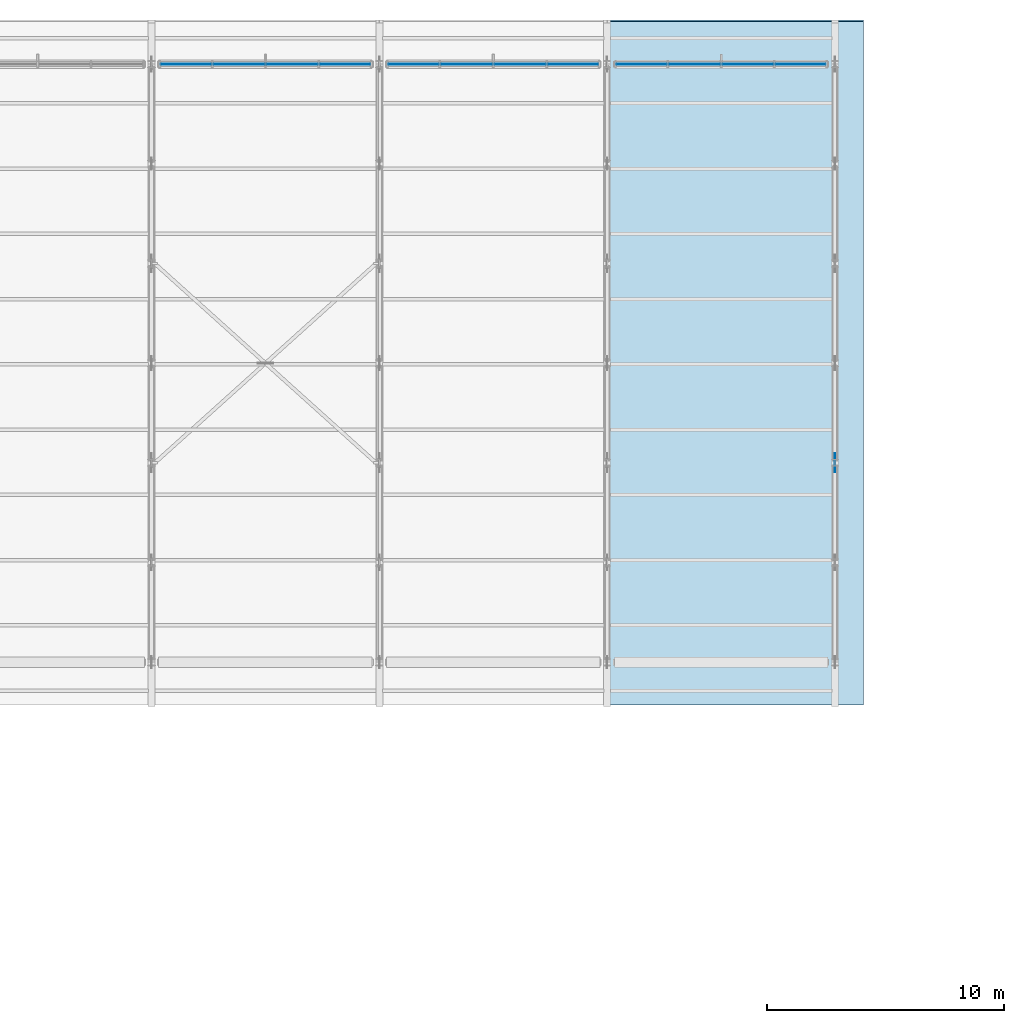
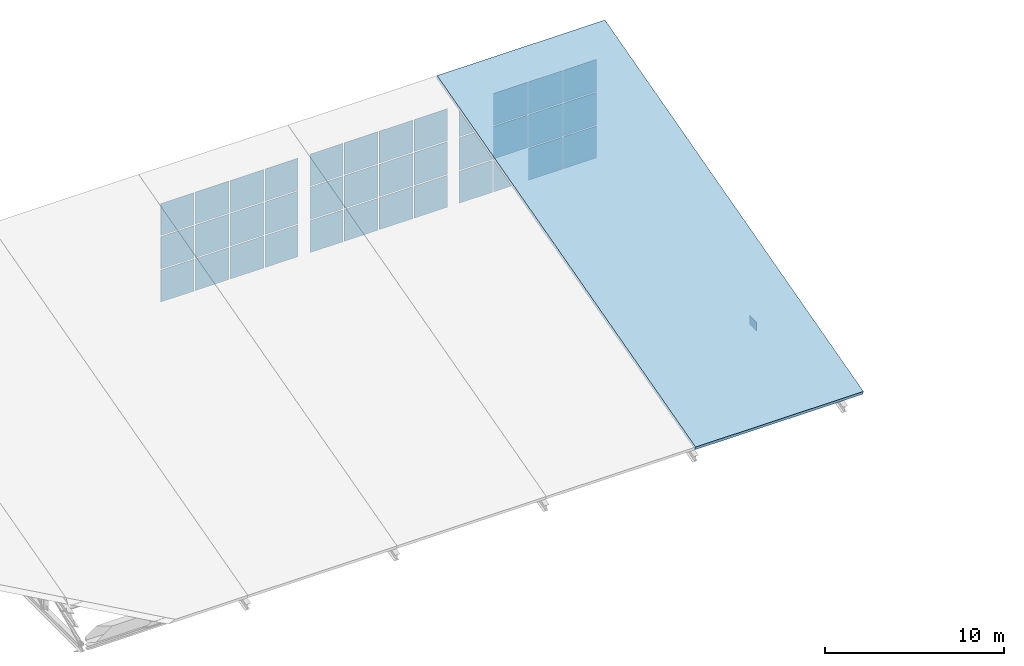
# One storey, part 21 of 37: 37 plates, 1 slab, 3 elements without a shape of their own.
"""IFC4 building model written with IfcOpenShell, lengths in metres."""

from ifc_helpers import new_model, si_unit, direction, frame, origin, origin_2d, place, context, subcontext, project, spatial, polyline, rectangle, outline, extrude, material, layer, layer_set, type_object, element, aggregate, save


model = new_model("IFC4")

# Units and contexts
model_context = context("Model", 3, precision=1e-05, world=origin(), true_north=direction((0.0, 1.0)))
body_context = subcontext(model_context, "Body", "Model", "MODEL_VIEW")
ifc_project = project(units=[si_unit("LENGTHUNIT", "METRE"), si_unit("AREAUNIT", "SQUARE_METRE"), si_unit("VOLUMEUNIT", "CUBIC_METRE"), si_unit("PLANEANGLEUNIT", "RADIAN"), si_unit("MASSUNIT", "GRAM", prefix="KILO")], contexts=[model_context])

# Site, building, storey
site_placement = place(None, origin())
site = spatial("IfcSite", under=ifc_project, at=site_placement, CompositionType="ELEMENT")
building_placement = place(site_placement, origin())
building = spatial("IfcBuilding", under=site, at=building_placement, Name="Shalvenor Court Art Gallery", CompositionType="ELEMENT")
storey_placement = place(building_placement, frame((0.0, 0.0, 22.199951171875)))
storey = spatial("IfcBuildingStorey", under=building, at=storey_placement, Name="L04", CompositionType="ELEMENT", Elevation=22.199951171875)

# Curtain wall, plates
ifc_material_1 = material(Name="Anodised aluminium and low-iron glass curtain wall", Category="aluminium")
curtain_wall_type = type_object("IfcCurtainWallType", Name="CW-NL-V2", PredefinedType="USERDEFINED", material=ifc_material_1)
curtain_wall_1_placement = place(storey_placement, origin())
curtain_wall_1 = element("IfcCurtainWall", 1, at=curtain_wall_1_placement, inside=storey, type_object=curtain_wall_type, Name="L04 V2 North Light Clerestory 5", ObjectType="CURTAIN WALL", PredefinedType="USERDEFINED")
ifc_material_2 = material(Name="Diffused north-light acid-etched museum glazing IGU", Category="glass")
ifc_layer_1 = layer(ifc_material_2, 0.02392578125, Name="Diffused north-light acid-etched museum glazing IGU")
ifc_layer_set_1 = layer_set([ifc_layer_1], Name="Diffused north-light acid-etched museum glazing IGU")
plate_type_1 = type_object("IfcPlateType", Name="CWP-04", PredefinedType="CURTAIN_PANEL", material=ifc_layer_set_1)
plate_1_placement = place(storey_placement, frame((97.445068359375, 122.39990234375, 0.074951171875), z_axis=(0.0, 0.0, 1.0), x_axis=(1.0, 0.0, 0.0)))
plate_1 = element("IfcPlate", 2, at=plate_1_placement, type_object=plate_type_1, Name="CW-NL-V2 panel 1.1", PredefinedType="CURTAIN_PANEL", context=body_context, shape_type="SweptSolid", body=[
    extrude(rectangle(XDim=2.1298828125, YDim=0.02392578125, at=origin_2d()), origin(), (0.0, 0.0, 1.0), 2.1708984375),
])
plate_2_placement = place(storey_placement, frame((97.445068359375, 122.39990234375, 2.32080078125), z_axis=(0.0, 0.0, 1.0), x_axis=(1.0, 0.0, 0.0)))
plate_2 = element("IfcPlate", 3, at=plate_2_placement, type_object=plate_type_1, Name="CW-NL-V2 panel 1.2", PredefinedType="CURTAIN_PANEL", context=body_context, shape_type="SweptSolid", body=[
    extrude(rectangle(XDim=2.1298828125, YDim=0.02392578125, at=origin_2d()), origin(), (0.0, 0.0, 1.0), 2.208251953125),
])
plate_3_placement = place(storey_placement, frame((97.445068359375, 122.39990234375, 4.604248046875), z_axis=(0.0, 0.0, 1.0), x_axis=(1.0, 0.0, 0.0)))
plate_3 = element("IfcPlate", 4, at=plate_3_placement, type_object=plate_type_1, Name="CW-NL-V2 panel 1.3", PredefinedType="CURTAIN_PANEL", context=body_context, shape_type="SweptSolid", body=[
    extrude(rectangle(XDim=2.1298828125, YDim=0.02392578125, at=origin_2d()), origin(), (0.0, 0.0, 1.0), 2.1708984375),
])
plate_4_placement = place(storey_placement, frame((99.675048828125, 122.39990234375, 0.074951171875), z_axis=(0.0, 0.0, 1.0), x_axis=(1.0, 0.0, 0.0)))
plate_4 = element("IfcPlate", 5, at=plate_4_placement, type_object=plate_type_1, Name="CW-NL-V2 panel 2.1", PredefinedType="CURTAIN_PANEL", context=body_context, shape_type="SweptSolid", body=[
    extrude(rectangle(XDim=2.169921875, YDim=0.02392578125, at=origin_2d()), origin(), (0.0, 0.0, 1.0), 2.1708984375),
])
plate_5_placement = place(storey_placement, frame((99.675048828125, 122.39990234375, 2.32080078125), z_axis=(0.0, 0.0, 1.0), x_axis=(1.0, 0.0, 0.0)))
plate_5 = element("IfcPlate", 6, at=plate_5_placement, type_object=plate_type_1, Name="CW-NL-V2 panel 2.2", PredefinedType="CURTAIN_PANEL", context=body_context, shape_type="SweptSolid", body=[
    extrude(rectangle(XDim=2.169921875, YDim=0.02392578125, at=origin_2d()), origin(), (0.0, 0.0, 1.0), 2.208251953125),
])
plate_6_placement = place(storey_placement, frame((99.675048828125, 122.39990234375, 4.604248046875), z_axis=(0.0, 0.0, 1.0), x_axis=(1.0, 0.0, 0.0)))
plate_6 = element("IfcPlate", 7, at=plate_6_placement, type_object=plate_type_1, Name="CW-NL-V2 panel 2.3", PredefinedType="CURTAIN_PANEL", context=body_context, shape_type="SweptSolid", body=[
    extrude(rectangle(XDim=2.169921875, YDim=0.02392578125, at=origin_2d()), origin(), (0.0, 0.0, 1.0), 2.1708984375),
])
plate_7_placement = place(storey_placement, frame((101.925048828125, 122.39990234375, 0.074951171875), z_axis=(0.0, 0.0, 1.0), x_axis=(1.0, 0.0, 0.0)))
plate_7 = element("IfcPlate", 8, at=plate_7_placement, type_object=plate_type_1, Name="CW-NL-V2 panel 3.1", PredefinedType="CURTAIN_PANEL", context=body_context, shape_type="SweptSolid", body=[
    extrude(rectangle(XDim=2.169921875, YDim=0.02392578125, at=origin_2d()), origin(), (0.0, 0.0, 1.0), 2.1708984375),
])
plate_8_placement = place(storey_placement, frame((101.925048828125, 122.39990234375, 2.32080078125), z_axis=(0.0, 0.0, 1.0), x_axis=(1.0, 0.0, 0.0)))
plate_8 = element("IfcPlate", 9, at=plate_8_placement, type_object=plate_type_1, Name="CW-NL-V2 panel 3.2", PredefinedType="CURTAIN_PANEL", context=body_context, shape_type="SweptSolid", body=[
    extrude(rectangle(XDim=2.169921875, YDim=0.02392578125, at=origin_2d()), origin(), (0.0, 0.0, 1.0), 2.208251953125),
])
plate_9_placement = place(storey_placement, frame((101.925048828125, 122.39990234375, 4.604248046875), z_axis=(0.0, 0.0, 1.0), x_axis=(1.0, 0.0, 0.0)))
plate_9 = element("IfcPlate", 10, at=plate_9_placement, type_object=plate_type_1, Name="CW-NL-V2 panel 3.3", PredefinedType="CURTAIN_PANEL", context=body_context, shape_type="SweptSolid", body=[
    extrude(rectangle(XDim=2.169921875, YDim=0.02392578125, at=origin_2d()), origin(), (0.0, 0.0, 1.0), 2.1708984375),
])
plate_10_placement = place(storey_placement, frame((104.155029296875, 122.39990234375, 0.074951171875), z_axis=(0.0, 0.0, 1.0), x_axis=(1.0, 0.0, 0.0)))
plate_10 = element("IfcPlate", 11, at=plate_10_placement, type_object=plate_type_1, Name="CW-NL-V2 panel 4.1", PredefinedType="CURTAIN_PANEL", context=body_context, shape_type="SweptSolid", body=[
    extrude(rectangle(XDim=2.1298828125, YDim=0.02392578125, at=origin_2d()), origin(), (0.0, 0.0, 1.0), 2.1708984375),
])
plate_11_placement = place(storey_placement, frame((104.155029296875, 122.39990234375, 2.32080078125), z_axis=(0.0, 0.0, 1.0), x_axis=(1.0, 0.0, 0.0)))
plate_11 = element("IfcPlate", 12, at=plate_11_placement, type_object=plate_type_1, Name="CW-NL-V2 panel 4.2", PredefinedType="CURTAIN_PANEL", context=body_context, shape_type="SweptSolid", body=[
    extrude(rectangle(XDim=2.1298828125, YDim=0.02392578125, at=origin_2d()), origin(), (0.0, 0.0, 1.0), 2.208251953125),
])
plate_12_placement = place(storey_placement, frame((104.155029296875, 122.39990234375, 4.604248046875), z_axis=(0.0, 0.0, 1.0), x_axis=(1.0, 0.0, 0.0)))
plate_12 = element("IfcPlate", 13, at=plate_12_placement, type_object=plate_type_1, Name="CW-NL-V2 panel 4.3", PredefinedType="CURTAIN_PANEL", context=body_context, shape_type="SweptSolid", body=[
    extrude(rectangle(XDim=2.1298828125, YDim=0.02392578125, at=origin_2d()), origin(), (0.0, 0.0, 1.0), 2.1708984375),
])
aggregate(curtain_wall_1, [plate_1, plate_2, plate_3, plate_4, plate_5, plate_6, plate_7, plate_8, plate_9, plate_10, plate_11, plate_12])

curtain_wall_2_placement = place(storey_placement, origin())
curtain_wall_2 = element("IfcCurtainWall", 14, at=curtain_wall_2_placement, inside=storey, type_object=curtain_wall_type, Name="L04 V2 North Light Clerestory 6", ObjectType="CURTAIN WALL", PredefinedType="USERDEFINED")
plate_13_placement = place(storey_placement, frame((107.044921875, 122.39990234375, 0.074951171875), z_axis=(0.0, 0.0, 1.0), x_axis=(1.0, 0.0, 0.0)))
plate_13 = element("IfcPlate", 15, at=plate_13_placement, type_object=plate_type_1, Name="CW-NL-V2 panel 1.1", PredefinedType="CURTAIN_PANEL", context=body_context, shape_type="SweptSolid", body=[
    extrude(rectangle(XDim=2.1298828125, YDim=0.02392578125, at=origin_2d()), origin(), (0.0, 0.0, 1.0), 2.1708984375),
])
plate_14_placement = place(storey_placement, frame((107.044921875, 122.39990234375, 2.32080078125), z_axis=(0.0, 0.0, 1.0), x_axis=(1.0, 0.0, 0.0)))
plate_14 = element("IfcPlate", 16, at=plate_14_placement, type_object=plate_type_1, Name="CW-NL-V2 panel 1.2", PredefinedType="CURTAIN_PANEL", context=body_context, shape_type="SweptSolid", body=[
    extrude(rectangle(XDim=2.1298828125, YDim=0.02392578125, at=origin_2d()), origin(), (0.0, 0.0, 1.0), 2.208251953125),
])
plate_15_placement = place(storey_placement, frame((107.044921875, 122.39990234375, 4.604248046875), z_axis=(0.0, 0.0, 1.0), x_axis=(1.0, 0.0, 0.0)))
plate_15 = element("IfcPlate", 17, at=plate_15_placement, type_object=plate_type_1, Name="CW-NL-V2 panel 1.3", PredefinedType="CURTAIN_PANEL", context=body_context, shape_type="SweptSolid", body=[
    extrude(rectangle(XDim=2.1298828125, YDim=0.02392578125, at=origin_2d()), origin(), (0.0, 0.0, 1.0), 2.1708984375),
])
plate_16_placement = place(storey_placement, frame((109.27490234375, 122.39990234375, 0.074951171875), z_axis=(0.0, 0.0, 1.0), x_axis=(1.0, 0.0, 0.0)))
plate_16 = element("IfcPlate", 18, at=plate_16_placement, type_object=plate_type_1, Name="CW-NL-V2 panel 2.1", PredefinedType="CURTAIN_PANEL", context=body_context, shape_type="SweptSolid", body=[
    extrude(rectangle(XDim=2.169921875, YDim=0.02392578125, at=origin_2d()), origin(), (0.0, 0.0, 1.0), 2.1708984375),
])
plate_17_placement = place(storey_placement, frame((109.27490234375, 122.39990234375, 2.32080078125), z_axis=(0.0, 0.0, 1.0), x_axis=(1.0, 0.0, 0.0)))
plate_17 = element("IfcPlate", 19, at=plate_17_placement, type_object=plate_type_1, Name="CW-NL-V2 panel 2.2", PredefinedType="CURTAIN_PANEL", context=body_context, shape_type="SweptSolid", body=[
    extrude(rectangle(XDim=2.169921875, YDim=0.02392578125, at=origin_2d()), origin(), (0.0, 0.0, 1.0), 2.208251953125),
])
plate_18_placement = place(storey_placement, frame((109.27490234375, 122.39990234375, 4.604248046875), z_axis=(0.0, 0.0, 1.0), x_axis=(1.0, 0.0, 0.0)))
plate_18 = element("IfcPlate", 20, at=plate_18_placement, type_object=plate_type_1, Name="CW-NL-V2 panel 2.3", PredefinedType="CURTAIN_PANEL", context=body_context, shape_type="SweptSolid", body=[
    extrude(rectangle(XDim=2.169921875, YDim=0.02392578125, at=origin_2d()), origin(), (0.0, 0.0, 1.0), 2.1708984375),
])
plate_19_placement = place(storey_placement, frame((111.52490234375, 122.39990234375, 0.074951171875), z_axis=(0.0, 0.0, 1.0), x_axis=(1.0, 0.0, 0.0)))
plate_19 = element("IfcPlate", 21, at=plate_19_placement, type_object=plate_type_1, Name="CW-NL-V2 panel 3.1", PredefinedType="CURTAIN_PANEL", context=body_context, shape_type="SweptSolid", body=[
    extrude(rectangle(XDim=2.169921875, YDim=0.02392578125, at=origin_2d()), origin(), (0.0, 0.0, 1.0), 2.1708984375),
])
plate_20_placement = place(storey_placement, frame((111.52490234375, 122.39990234375, 2.32080078125), z_axis=(0.0, 0.0, 1.0), x_axis=(1.0, 0.0, 0.0)))
plate_20 = element("IfcPlate", 22, at=plate_20_placement, type_object=plate_type_1, Name="CW-NL-V2 panel 3.2", PredefinedType="CURTAIN_PANEL", context=body_context, shape_type="SweptSolid", body=[
    extrude(rectangle(XDim=2.169921875, YDim=0.02392578125, at=origin_2d()), origin(), (0.0, 0.0, 1.0), 2.208251953125),
])
plate_21_placement = place(storey_placement, frame((111.52490234375, 122.39990234375, 4.604248046875), z_axis=(0.0, 0.0, 1.0), x_axis=(1.0, 0.0, 0.0)))
plate_21 = element("IfcPlate", 23, at=plate_21_placement, type_object=plate_type_1, Name="CW-NL-V2 panel 3.3", PredefinedType="CURTAIN_PANEL", context=body_context, shape_type="SweptSolid", body=[
    extrude(rectangle(XDim=2.169921875, YDim=0.02392578125, at=origin_2d()), origin(), (0.0, 0.0, 1.0), 2.1708984375),
])
plate_22_placement = place(storey_placement, frame((113.7548828125, 122.39990234375, 0.074951171875), z_axis=(0.0, 0.0, 1.0), x_axis=(1.0, 0.0, 0.0)))
plate_22 = element("IfcPlate", 24, at=plate_22_placement, type_object=plate_type_1, Name="CW-NL-V2 panel 4.1", PredefinedType="CURTAIN_PANEL", context=body_context, shape_type="SweptSolid", body=[
    extrude(rectangle(XDim=2.1298828125, YDim=0.02392578125, at=origin_2d()), origin(), (0.0, 0.0, 1.0), 2.1708984375),
])
plate_23_placement = place(storey_placement, frame((113.7548828125, 122.39990234375, 2.32080078125), z_axis=(0.0, 0.0, 1.0), x_axis=(1.0, 0.0, 0.0)))
plate_23 = element("IfcPlate", 25, at=plate_23_placement, type_object=plate_type_1, Name="CW-NL-V2 panel 4.2", PredefinedType="CURTAIN_PANEL", context=body_context, shape_type="SweptSolid", body=[
    extrude(rectangle(XDim=2.1298828125, YDim=0.02392578125, at=origin_2d()), origin(), (0.0, 0.0, 1.0), 2.208251953125),
])
plate_24_placement = place(storey_placement, frame((113.7548828125, 122.39990234375, 4.604248046875), z_axis=(0.0, 0.0, 1.0), x_axis=(1.0, 0.0, 0.0)))
plate_24 = element("IfcPlate", 26, at=plate_24_placement, type_object=plate_type_1, Name="CW-NL-V2 panel 4.3", PredefinedType="CURTAIN_PANEL", context=body_context, shape_type="SweptSolid", body=[
    extrude(rectangle(XDim=2.1298828125, YDim=0.02392578125, at=origin_2d()), origin(), (0.0, 0.0, 1.0), 2.1708984375),
])
aggregate(curtain_wall_2, [plate_13, plate_14, plate_15, plate_16, plate_17, plate_18, plate_19, plate_20, plate_21, plate_22, plate_23, plate_24])

curtain_wall_3_placement = place(storey_placement, origin())
curtain_wall_3 = element("IfcCurtainWall", 27, at=curtain_wall_3_placement, inside=storey, type_object=curtain_wall_type, Name="L04 V2 North Light Clerestory 7", ObjectType="CURTAIN WALL", PredefinedType="USERDEFINED")
plate_25_placement = place(storey_placement, frame((116.64501953125, 122.39990234375, 0.074951171875), z_axis=(0.0, 0.0, 1.0), x_axis=(1.0, 0.0, 0.0)))
plate_25 = element("IfcPlate", 28, at=plate_25_placement, type_object=plate_type_1, Name="CW-NL-V2 panel 1.1", PredefinedType="CURTAIN_PANEL", context=body_context, shape_type="SweptSolid", body=[
    extrude(rectangle(XDim=2.1298828125, YDim=0.02392578125, at=origin_2d()), origin(), (0.0, 0.0, 1.0), 2.1708984375),
])
plate_26_placement = place(storey_placement, frame((116.64501953125, 122.39990234375, 2.32080078125), z_axis=(0.0, 0.0, 1.0), x_axis=(1.0, 0.0, 0.0)))
plate_26 = element("IfcPlate", 29, at=plate_26_placement, type_object=plate_type_1, Name="CW-NL-V2 panel 1.2", PredefinedType="CURTAIN_PANEL", context=body_context, shape_type="SweptSolid", body=[
    extrude(rectangle(XDim=2.1298828125, YDim=0.02392578125, at=origin_2d()), origin(), (0.0, 0.0, 1.0), 2.208251953125),
])
plate_27_placement = place(storey_placement, frame((116.64501953125, 122.39990234375, 4.604248046875), z_axis=(0.0, 0.0, 1.0), x_axis=(1.0, 0.0, 0.0)))
plate_27 = element("IfcPlate", 30, at=plate_27_placement, type_object=plate_type_1, Name="CW-NL-V2 panel 1.3", PredefinedType="CURTAIN_PANEL", context=body_context, shape_type="SweptSolid", body=[
    extrude(rectangle(XDim=2.1298828125, YDim=0.02392578125, at=origin_2d()), origin(), (0.0, 0.0, 1.0), 2.1708984375),
])
plate_28_placement = place(storey_placement, frame((118.875, 122.39990234375, 0.074951171875), z_axis=(0.0, 0.0, 1.0), x_axis=(1.0, 0.0, 0.0)))
plate_28 = element("IfcPlate", 31, at=plate_28_placement, type_object=plate_type_1, Name="CW-NL-V2 panel 2.1", PredefinedType="CURTAIN_PANEL", context=body_context, shape_type="SweptSolid", body=[
    extrude(rectangle(XDim=2.169921875, YDim=0.02392578125, at=origin_2d()), origin(), (0.0, 0.0, 1.0), 2.1708984375),
])
plate_29_placement = place(storey_placement, frame((118.875, 122.39990234375, 2.32080078125), z_axis=(0.0, 0.0, 1.0), x_axis=(1.0, 0.0, 0.0)))
plate_29 = element("IfcPlate", 32, at=plate_29_placement, type_object=plate_type_1, Name="CW-NL-V2 panel 2.2", PredefinedType="CURTAIN_PANEL", context=body_context, shape_type="SweptSolid", body=[
    extrude(rectangle(XDim=2.169921875, YDim=0.02392578125, at=origin_2d()), origin(), (0.0, 0.0, 1.0), 2.208251953125),
])
plate_30_placement = place(storey_placement, frame((118.875, 122.39990234375, 4.604248046875), z_axis=(0.0, 0.0, 1.0), x_axis=(1.0, 0.0, 0.0)))
plate_30 = element("IfcPlate", 33, at=plate_30_placement, type_object=plate_type_1, Name="CW-NL-V2 panel 2.3", PredefinedType="CURTAIN_PANEL", context=body_context, shape_type="SweptSolid", body=[
    extrude(rectangle(XDim=2.169921875, YDim=0.02392578125, at=origin_2d()), origin(), (0.0, 0.0, 1.0), 2.1708984375),
])
plate_31_placement = place(storey_placement, frame((121.125, 122.39990234375, 0.074951171875), z_axis=(0.0, 0.0, 1.0), x_axis=(1.0, 0.0, 0.0)))
plate_31 = element("IfcPlate", 34, at=plate_31_placement, type_object=plate_type_1, Name="CW-NL-V2 panel 3.1", PredefinedType="CURTAIN_PANEL", context=body_context, shape_type="SweptSolid", body=[
    extrude(rectangle(XDim=2.169921875, YDim=0.02392578125, at=origin_2d()), origin(), (0.0, 0.0, 1.0), 2.1708984375),
])
plate_32_placement = place(storey_placement, frame((121.125, 122.39990234375, 2.32080078125), z_axis=(0.0, 0.0, 1.0), x_axis=(1.0, 0.0, 0.0)))
plate_32 = element("IfcPlate", 35, at=plate_32_placement, type_object=plate_type_1, Name="CW-NL-V2 panel 3.2", PredefinedType="CURTAIN_PANEL", context=body_context, shape_type="SweptSolid", body=[
    extrude(rectangle(XDim=2.169921875, YDim=0.02392578125, at=origin_2d()), origin(), (0.0, 0.0, 1.0), 2.208251953125),
])
plate_33_placement = place(storey_placement, frame((121.125, 122.39990234375, 4.604248046875), z_axis=(0.0, 0.0, 1.0), x_axis=(1.0, 0.0, 0.0)))
plate_33 = element("IfcPlate", 36, at=plate_33_placement, type_object=plate_type_1, Name="CW-NL-V2 panel 3.3", PredefinedType="CURTAIN_PANEL", context=body_context, shape_type="SweptSolid", body=[
    extrude(rectangle(XDim=2.169921875, YDim=0.02392578125, at=origin_2d()), origin(), (0.0, 0.0, 1.0), 2.1708984375),
])
plate_34_placement = place(storey_placement, frame((123.35498046875, 122.39990234375, 0.074951171875), z_axis=(0.0, 0.0, 1.0), x_axis=(1.0, 0.0, 0.0)))
plate_34 = element("IfcPlate", 37, at=plate_34_placement, type_object=plate_type_1, Name="CW-NL-V2 panel 4.1", PredefinedType="CURTAIN_PANEL", context=body_context, shape_type="SweptSolid", body=[
    extrude(rectangle(XDim=2.1298828125, YDim=0.02392578125, at=origin_2d()), origin(), (0.0, 0.0, 1.0), 2.1708984375),
])
plate_35_placement = place(storey_placement, frame((123.35498046875, 122.39990234375, 2.32080078125), z_axis=(0.0, 0.0, 1.0), x_axis=(1.0, 0.0, 0.0)))
plate_35 = element("IfcPlate", 38, at=plate_35_placement, type_object=plate_type_1, Name="CW-NL-V2 panel 4.2", PredefinedType="CURTAIN_PANEL", context=body_context, shape_type="SweptSolid", body=[
    extrude(rectangle(XDim=2.1298828125, YDim=0.02392578125, at=origin_2d()), origin(), (0.0, 0.0, 1.0), 2.208251953125),
])
plate_36_placement = place(storey_placement, frame((123.35498046875, 122.39990234375, 4.604248046875), z_axis=(0.0, 0.0, 1.0), x_axis=(1.0, 0.0, 0.0)))
plate_36 = element("IfcPlate", 39, at=plate_36_placement, type_object=plate_type_1, Name="CW-NL-V2 panel 4.3", PredefinedType="CURTAIN_PANEL", context=body_context, shape_type="SweptSolid", body=[
    extrude(rectangle(XDim=2.1298828125, YDim=0.02392578125, at=origin_2d()), origin(), (0.0, 0.0, 1.0), 2.1708984375),
])
aggregate(curtain_wall_3, [plate_25, plate_26, plate_27, plate_28, plate_29, plate_30, plate_31, plate_32, plate_33, plate_34, plate_35, plate_36])

# Plate
ifc_material_3 = material(Name="Steel S355", Category="steel")
ifc_layer_2 = layer(ifc_material_3, 0.02587890625, Name="Steel S355")
ifc_layer_set_2 = layer_set([ifc_layer_2], Name="Steel S355")
plate_type_2 = type_object("IfcPlateType", Name="GP-03", PredefinedType="SHEET", material=ifc_layer_set_2)
plate_37_placement = place(storey_placement, frame((124.800048828125, 105.60009765625, -1.425048828125), z_axis=(0.0, 0.0, 1.0), x_axis=(0.0, 1.0, 0.0)))
element("IfcPlate", 40, at=plate_37_placement, inside=storey, type_object=plate_type_2, Name="TN-02 Truss Gusset Plate PLT-GUS-0136", PredefinedType="SHEET", context=body_context, shape_type="SweptSolid", body=[
    extrude(rectangle(XDim=0.800048828125, YDim=0.02587890625, at=origin_2d()), origin(), (0.0, 0.0, 1.0), 0.60009765625),
])

# Slab
ifc_material_4 = material(Name="Concrete C40/50", Category="concrete")
ifc_layer_3 = layer(ifc_material_4, 0.22998046875, Name="Concrete C40/50")
ifc_layer_set_3 = layer_set([ifc_layer_3], Name="Concrete C40/50")
slab_type = type_object("IfcSlabType", Name="RF-230", PredefinedType="ROOF", material=ifc_layer_set_3)
slab_placement = place(storey_placement, frame((115.199951171875, 95.39990234375, 0.0), z_axis=(0.0, -0.261416587437, 0.965226070832), x_axis=(1.0, 0.0, 0.0)))
element("IfcSlab", 41, at=slab_placement, inside=storey, type_object=slab_type, Name="L04 V2 Pitched Gallery Roof Slab Bay 7", PredefinedType="ROOF", context=body_context, shape_type="SweptSolid", body=[
    extrude(outline(polyline([(0.0, 0.0), (10.800048828125, 0.0), (10.800048828125, 29.837620116616513), (0.0, 29.837620116616513), (0.0, 0.0)])), origin(), (0.0, 0.0, -1.0), 0.22998046875),
])

save(model, "model.ifc")
